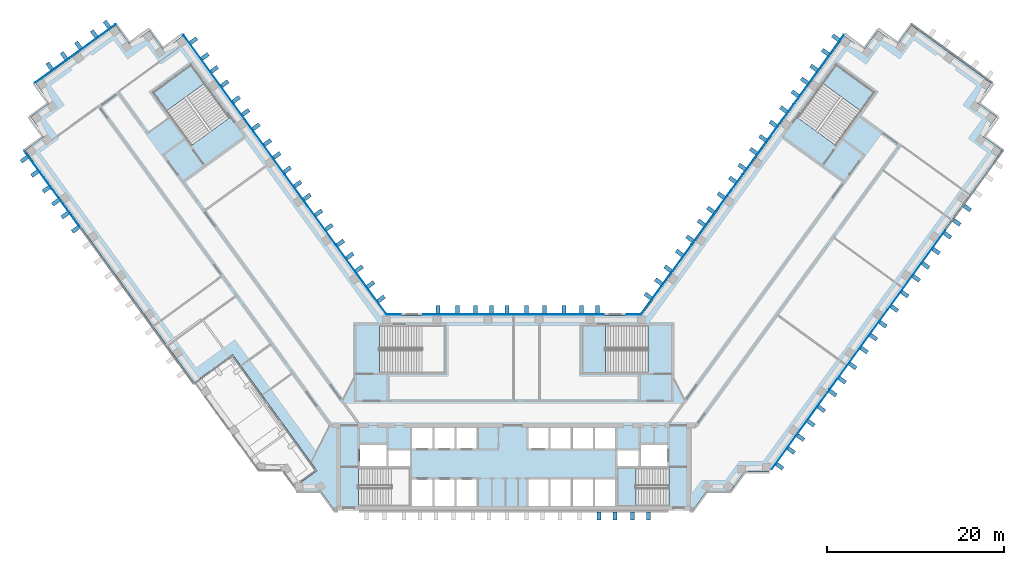
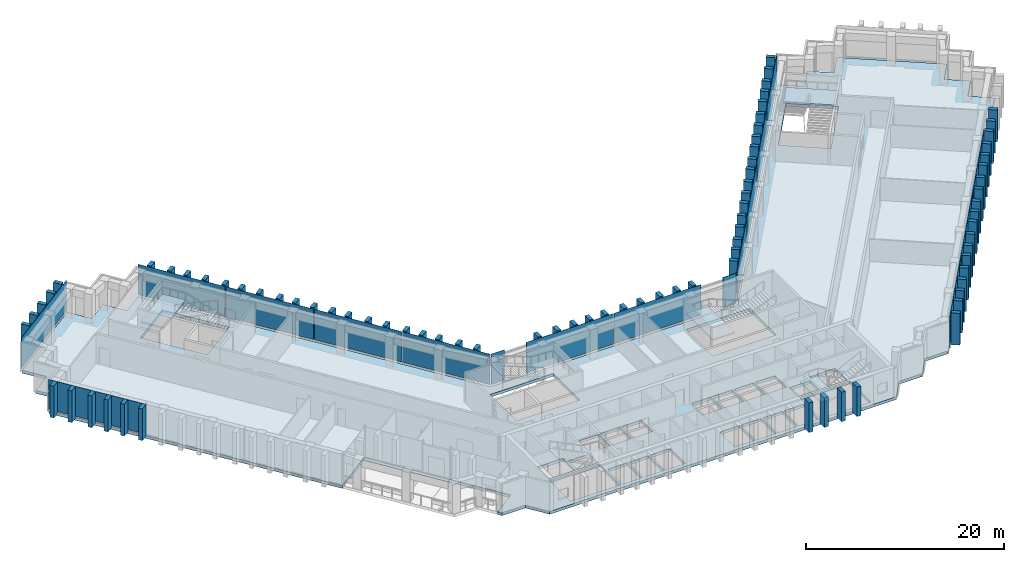
"""IFC4 building model written with IfcOpenShell, lengths in metres."""

from ifc_helpers import new_model, si_unit, direction, frame, origin, origin_2d, place, context, subcontext, project, spatial, polyline, rectangle, outline, extrude, material, layer, layer_set, type_object, element, aggregate, save


model = new_model("IFC4")

# Units and contexts
model_context = context("Model", 3, precision=1e-05, world=origin(), true_north=direction((0.0, 1.0)))
body_context = subcontext(model_context, "Body", "Model", "MODEL_VIEW")
ifc_project = project(units=[si_unit("LENGTHUNIT", "METRE"), si_unit("AREAUNIT", "SQUARE_METRE"), si_unit("VOLUMEUNIT", "CUBIC_METRE"), si_unit("PLANEANGLEUNIT", "RADIAN"), si_unit("MASSUNIT", "GRAM", prefix="KILO")], contexts=[model_context])

# Site, building, storey
site_placement = place(None, origin())
site = spatial("IfcSite", under=ifc_project, at=site_placement, CompositionType="ELEMENT")
building_placement = place(site_placement, origin())
building = spatial("IfcBuilding", under=site, at=building_placement, Name="Quipu Civic Tower", CompositionType="ELEMENT")
storey_1_placement = place(building_placement, frame((0.0, 0.0, 63.0)))
storey_1 = spatial("IfcBuildingStorey", under=building, at=storey_1_placement, Name="L14", CompositionType="ELEMENT", Elevation=63.0)

# Slab
ifc_material_1 = material(Name="Concrete C40/50", Category="concrete")
ifc_layer_1 = layer(ifc_material_1, 0.35009765625)
ifc_layer_set_1 = layer_set([ifc_layer_1], Name="Concrete C40/50")
slab_type_1 = type_object("IfcSlabType", Name="Floor slab 350 C40/50", PredefinedType="FLOOR", material=ifc_layer_set_1)
slab_1_placement = place(storey_1_placement, frame((0.0, 0.0, -0.35009765625)))
element("IfcSlab", 1, at=slab_1_placement, inside=storey_1, type_object=slab_type_1, Name="Floor slab L14", PredefinedType="FLOOR", context=body_context, shape_type="SweptSolid", body=[
    extrude(outline(polyline([(-54.514892578125, 33.389892578125), (-52.3349609375, 34.97509765625), (-53.919921875, 37.159912109375), (-44.860107421875, 43.739990234375), (-43.27001953125, 41.56005859375), (-41.0849609375, 43.14501953125), (-39.5, 40.9599609375), (-37.31494140625, 42.550048828125), (-14.39501953125, 11.0), (14.39501953125, 11.0), (37.31494140625, 42.550048828125), (39.5, 40.9599609375), (41.0849609375, 43.14501953125), (43.27001953125, 41.56005859375), (44.860107421875, 43.739990234375), (53.919921875, 37.159912109375), (52.3349609375, 34.97509765625), (54.514892578125, 33.389892578125), (52.929931640625, 31.205078125), (55.114990234375, 29.614990234375), (28.780029296875, -6.6298828125), (26.080078125, -6.6298828125), (24.489990234375, -8.81494140625), (21.7900390625, -8.81494140625), (20.205078125, -11.0), (-20.205078125, -11.0), (-21.7900390625, -8.81494140625), (-24.489990234375, -8.81494140625), (-24.780029296875, -8.419921875), (-22.179931640625, -6.530029296875), (-31.699951171875, 6.580078125), (-36.070068359375, 3.405029296875), (-55.114990234375, 29.614990234375), (-52.929931640625, 31.205078125), (-54.514892578125, 33.389892578125)]), holes=[polyline([(-11.449951171875, -7.5), (-11.449951171875, -10.5), (-9.14990234375, -10.5), (-9.14990234375, -7.5), (-11.449951171875, -7.5)]), polyline([(-6.64990234375, -7.5), (-8.949951171875, -7.5), (-8.949951171875, -10.5), (-6.64990234375, -10.5), (-6.64990234375, -7.5)]), polyline([(-4.14990234375, -7.5), (-6.449951171875, -7.5), (-6.449951171875, -10.5), (-4.14990234375, -10.5), (-4.14990234375, -7.5)]), polyline([(1.64990234375, -7.5), (1.64990234375, -10.5), (3.949951171875, -10.5), (3.949951171875, -7.5), (1.64990234375, -7.5)]), polyline([(-11.705078125, -10.4951171875), (-11.705078125, -6.2548828125), (-17.4951171875, -6.2548828125), (-17.4951171875, -10.4951171875), (-11.705078125, -10.4951171875)]), polyline([(-11.699951171875, -4.25), (-14.10009765625, -4.25), (-14.10009765625, -6.0), (-11.699951171875, -6.0), (-11.699951171875, -4.25)]), polyline([(-17.35009765625, -3.60009765625), (-17.35009765625, -6.0), (-14.35009765625, -6.0), (-14.35009765625, -3.60009765625), (-17.35009765625, -3.60009765625)]), polyline([(-9.14990234375, -1.699951171875), (-11.449951171875, -1.699951171875), (-11.449951171875, -4.0), (-9.14990234375, -4.0), (-9.14990234375, -1.699951171875)]), polyline([(-6.64990234375, -1.699951171875), (-8.949951171875, -1.699951171875), (-8.949951171875, -4.0), (-6.64990234375, -4.0), (-6.64990234375, -1.699951171875)]), polyline([(-6.449951171875, -1.699951171875), (-6.449951171875, -4.0), (-4.14990234375, -4.0), (-4.14990234375, -1.699951171875), (-6.449951171875, -1.699951171875)]), polyline([(-7.7548828125, 4.5048828125), (-7.7548828125, 9.844970703125), (-15.14501953125, 9.844970703125), (-15.14501953125, 4.5048828125), (-7.7548828125, 4.5048828125)]), polyline([(-36.364990234375, 39.27490234375), (-40.68505859375, 36.135009765625), (-36.344970703125, 30.159912109375), (-32.02490234375, 33.300048828125), (-36.364990234375, 39.27490234375)]), polyline([(4.14990234375, -7.5), (4.14990234375, -10.5), (6.449951171875, -10.5), (6.449951171875, -7.5), (4.14990234375, -7.5)]), polyline([(8.949951171875, -7.5), (6.64990234375, -7.5), (6.64990234375, -10.5), (8.949951171875, -10.5), (8.949951171875, -7.5)]), polyline([(11.449951171875, -7.5), (9.14990234375, -7.5), (9.14990234375, -10.5), (11.449951171875, -10.5), (11.449951171875, -7.5)]), polyline([(11.705078125, -10.4951171875), (17.4951171875, -10.4951171875), (17.4951171875, -6.2548828125), (11.705078125, -6.2548828125), (11.705078125, -10.4951171875)]), polyline([(14.10009765625, -4.25), (11.699951171875, -4.25), (11.699951171875, -6.0), (14.10009765625, -6.0), (14.10009765625, -4.25)]), polyline([(17.35009765625, -3.60009765625), (14.35009765625, -3.60009765625), (14.35009765625, -6.0), (17.35009765625, -6.0), (17.35009765625, -3.60009765625)]), polyline([(1.64990234375, -1.699951171875), (1.64990234375, -4.0), (3.949951171875, -4.0), (3.949951171875, -1.699951171875), (1.64990234375, -1.699951171875)]), polyline([(6.449951171875, -1.699951171875), (4.14990234375, -1.699951171875), (4.14990234375, -4.0), (6.449951171875, -4.0), (6.449951171875, -1.699951171875)]), polyline([(8.949951171875, -1.699951171875), (6.64990234375, -1.699951171875), (6.64990234375, -4.0), (8.949951171875, -4.0), (8.949951171875, -1.699951171875)]), polyline([(9.14990234375, -1.699951171875), (9.14990234375, -4.0), (11.449951171875, -4.0), (11.449951171875, -1.699951171875), (9.14990234375, -1.699951171875)]), polyline([(7.7548828125, 9.844970703125), (7.7548828125, 4.5048828125), (15.14501953125, 4.5048828125), (15.14501953125, 9.844970703125), (7.7548828125, 9.844970703125)]), polyline([(40.68505859375, 36.135009765625), (36.364990234375, 39.27490234375), (32.02490234375, 33.300048828125), (36.344970703125, 30.159912109375), (40.68505859375, 36.135009765625)])]), origin(), (0.0, 0.0, 1.0), 0.35009765625),
])

# Storey
storey_2_placement = place(building_placement, frame((0.0, 0.0, 59.0)))
storey_2 = spatial("IfcBuildingStorey", under=building, at=storey_2_placement, Name="L13", CompositionType="ELEMENT", Elevation=59.0)

# Curtain wall, plates
ifc_material_2 = material(Name="Insulated glass unit", Category="glass")
curtain_wall_type = type_object("IfcCurtainWallType", Name="Office curtain wall CW1", PredefinedType="NOTDEFINED", material=ifc_material_2)
curtain_wall_1_placement = place(storey_2_placement, origin())
curtain_wall_1 = element("IfcCurtainWall", 2, at=curtain_wall_1_placement, inside=storey_2, type_object=curtain_wall_type, Name="Office curtain wall CW1 L12 run 10", PredefinedType="NOTDEFINED")
ifc_material_3 = material(Name="Insulated glass unit", Category="glass")
ifc_layer_2 = layer(ifc_material_3, 0.028076171875)
ifc_layer_set_2 = layer_set([ifc_layer_2], Name="Insulated glass unit")
plate_type_1 = type_object("IfcPlateType", Name="Glass panel CW1", PredefinedType="CURTAIN_PANEL", material=ifc_layer_set_2)
plate_1_placement = place(storey_1_placement, frame((-17.224609375, 15.064697265625, 0.16015625), z_axis=(0.0, 0.0, 1.0), x_axis=(-0.587785887566, 0.809016532822, 0.0)))
plate_1 = element("IfcPlate", 3, at=plate_1_placement, inside=storey_1, type_object=plate_type_1, Name="CW1 panel 1.3", PredefinedType="CURTAIN_PANEL", context=body_context, shape_type="SweptSolid", body=[
    extrude(rectangle(XDim=9.64111328125, YDim=0.028076171875, at=origin_2d()), origin(), (0.0, 0.0, 1.0), 3.760009765625),
])
plate_2_placement = place(storey_1_placement, frame((-22.950439453125, 22.9453125, 0.16015625), z_axis=(0.0, 0.0, 1.0), x_axis=(-0.587785887566, 0.809016532822, 0.0)))
plate_2 = element("IfcPlate", 4, at=plate_2_placement, inside=storey_1, type_object=plate_type_1, Name="CW1 panel 2.3", PredefinedType="CURTAIN_PANEL", context=body_context, shape_type="SweptSolid", body=[
    extrude(rectangle(XDim=9.68115234375, YDim=0.028076171875, at=origin_2d()), origin(), (0.0, 0.0, 1.0), 3.760009765625),
])
plate_3_placement = place(storey_1_placement, frame((-28.687744140625, 30.84228515625, 0.16015625), z_axis=(0.0, 0.0, 1.0), x_axis=(-0.587785887566, 0.809016532822, 0.0)))
plate_3 = element("IfcPlate", 5, at=plate_3_placement, inside=storey_1, type_object=plate_type_1, Name="CW1 panel 3.3", PredefinedType="CURTAIN_PANEL", context=body_context, shape_type="SweptSolid", body=[
    extrude(rectangle(XDim=9.68115234375, YDim=0.028076171875, at=origin_2d()), origin(), (0.0, 0.0, 1.0), 3.760009765625),
])
plate_4_placement = place(storey_1_placement, frame((-34.413330078125, 38.722900390625, 0.16015625), z_axis=(0.0, 0.0, 1.0), x_axis=(-0.587785887566, 0.809016532822, 0.0)))
plate_4 = element("IfcPlate", 6, at=plate_4_placement, inside=storey_1, type_object=plate_type_1, Name="CW1 panel 4.3", PredefinedType="CURTAIN_PANEL", context=body_context, shape_type="SweptSolid", body=[
    extrude(rectangle(XDim=9.64111328125, YDim=0.028076171875, at=origin_2d()), origin(), (0.0, 0.0, 1.0), 3.760009765625),
])
aggregate(curtain_wall_1, [plate_1, plate_2, plate_3, plate_4])

# Curtain wall, plate
curtain_wall_2_placement = place(storey_2_placement, origin())
curtain_wall_2 = element("IfcCurtainWall", 7, at=curtain_wall_2_placement, inside=storey_2, type_object=curtain_wall_type, Name="Office curtain wall CW1 L12 run 15", PredefinedType="NOTDEFINED")
plate_5_placement = place(storey_1_placement, frame((-49.447998046875, 40.53173828125, 0.16015625), z_axis=(0.0, 0.0, 1.0), x_axis=(-0.809019348124, -0.587782012621, 0.0)))
plate_5 = element("IfcPlate", 8, at=plate_5_placement, inside=storey_1, type_object=plate_type_1, Name="CW1 panel 1.3", PredefinedType="CURTAIN_PANEL", context=body_context, shape_type="SweptSolid", body=[
    extrude(rectangle(XDim=11.239990234375, YDim=0.028076171875, at=origin_2d()), origin(), (0.0, 0.0, 1.0), 3.760009765625),
])
aggregate(curtain_wall_2, [plate_5])

# Curtain wall, plates
curtain_wall_3_placement = place(storey_2_placement, origin())
curtain_wall_3 = element("IfcCurtainWall", 9, at=curtain_wall_3_placement, inside=storey_2, type_object=curtain_wall_type, Name="Office curtain wall CW1 L12 run 26", PredefinedType="NOTDEFINED")
plate_6_placement = place(storey_1_placement, frame((32.342529296875, -1.896484375, 0.16015625), z_axis=(0.0, 0.0, 1.0), x_axis=(0.587785559869, 0.809016770908, 0.0)))
plate_6 = element("IfcPlate", 10, at=plate_6_placement, inside=storey_1, type_object=plate_type_1, Name="CW1 panel 1.3", PredefinedType="CURTAIN_PANEL", context=body_context, shape_type="SweptSolid", body=[
    extrude(rectangle(XDim=11.022705078125, YDim=0.028076171875, at=origin_2d()), origin(), (0.0, 0.0, 1.0), 3.760009765625),
])
plate_7_placement = place(storey_1_placement, frame((38.880126953125, 7.101806640625, 0.16015625), z_axis=(0.0, 0.0, 1.0), x_axis=(0.587785559869, 0.809016770908, 0.0)))
plate_7 = element("IfcPlate", 11, at=plate_7_placement, inside=storey_1, type_object=plate_type_1, Name="CW1 panel 2.3", PredefinedType="CURTAIN_PANEL", context=body_context, shape_type="SweptSolid", body=[
    extrude(rectangle(XDim=11.062744140625, YDim=0.028076171875, at=origin_2d()), origin(), (0.0, 0.0, 1.0), 3.760009765625),
])
plate_8_placement = place(storey_1_placement, frame((45.4296875, 16.11669921875, 0.16015625), z_axis=(0.0, 0.0, 1.0), x_axis=(0.587785559869, 0.809016770908, 0.0)))
plate_8 = element("IfcPlate", 12, at=plate_8_placement, inside=storey_1, type_object=plate_type_1, Name="CW1 panel 3.3", PredefinedType="CURTAIN_PANEL", context=body_context, shape_type="SweptSolid", body=[
    extrude(rectangle(XDim=11.062744140625, YDim=0.028076171875, at=origin_2d()), origin(), (0.0, 0.0, 1.0), 3.760009765625),
])
aggregate(curtain_wall_3, [plate_6, plate_7, plate_8])

curtain_wall_4_placement = place(storey_2_placement, origin())
curtain_wall_4 = element("IfcCurtainWall", 13, at=curtain_wall_4_placement, inside=storey_2, type_object=curtain_wall_type, Name="Office curtain wall CW1 L12 run 36", PredefinedType="NOTDEFINED")
plate_9_placement = place(storey_1_placement, frame((34.413330078125, 38.722900390625, 0.16015625), z_axis=(0.0, 0.0, 1.0), x_axis=(-0.587785887566, -0.809016532822, 0.0)))
plate_9 = element("IfcPlate", 14, at=plate_9_placement, inside=storey_1, type_object=plate_type_1, Name="CW1 panel 1.3", PredefinedType="CURTAIN_PANEL", context=body_context, shape_type="SweptSolid", body=[
    extrude(rectangle(XDim=9.64111328125, YDim=0.028076171875, at=origin_2d()), origin(), (0.0, 0.0, 1.0), 3.760009765625),
])
plate_10_placement = place(storey_1_placement, frame((28.687744140625, 30.84228515625, 0.16015625), z_axis=(0.0, 0.0, 1.0), x_axis=(-0.587785887566, -0.809016532822, 0.0)))
plate_10 = element("IfcPlate", 15, at=plate_10_placement, inside=storey_1, type_object=plate_type_1, Name="CW1 panel 2.3", PredefinedType="CURTAIN_PANEL", context=body_context, shape_type="SweptSolid", body=[
    extrude(rectangle(XDim=9.68115234375, YDim=0.028076171875, at=origin_2d()), origin(), (0.0, 0.0, 1.0), 3.760009765625),
])
plate_11_placement = place(storey_1_placement, frame((22.950439453125, 22.9453125, 0.16015625), z_axis=(0.0, 0.0, 1.0), x_axis=(-0.587785887566, -0.809016532822, 0.0)))
plate_11 = element("IfcPlate", 16, at=plate_11_placement, inside=storey_1, type_object=plate_type_1, Name="CW1 panel 3.3", PredefinedType="CURTAIN_PANEL", context=body_context, shape_type="SweptSolid", body=[
    extrude(rectangle(XDim=9.68115234375, YDim=0.028076171875, at=origin_2d()), origin(), (0.0, 0.0, 1.0), 3.760009765625),
])
plate_12_placement = place(storey_1_placement, frame((17.224609375, 15.064697265625, 0.16015625), z_axis=(0.0, 0.0, 1.0), x_axis=(-0.587785887566, -0.809016532822, 0.0)))
plate_12 = element("IfcPlate", 17, at=plate_12_placement, inside=storey_1, type_object=plate_type_1, Name="CW1 panel 4.3", PredefinedType="CURTAIN_PANEL", context=body_context, shape_type="SweptSolid", body=[
    extrude(rectangle(XDim=9.64111328125, YDim=0.028076171875, at=origin_2d()), origin(), (0.0, 0.0, 1.0), 3.760009765625),
])
aggregate(curtain_wall_4, [plate_9, plate_10, plate_11, plate_12])

# Curtain wall, plate
curtain_wall_5_placement = place(storey_2_placement, origin())
curtain_wall_5 = element("IfcCurtainWall", 18, at=curtain_wall_5_placement, inside=storey_2, type_object=curtain_wall_type, Name="Office curtain wall CW1 L12 run 37", PredefinedType="NOTDEFINED")
plate_13_placement = place(storey_1_placement, frame((13.49951171875, 11.10009765625, 0.16015625), z_axis=(0.0, 0.0, 1.0), x_axis=(-1.0, 0.0, 0.0)))
plate_13 = element("IfcPlate", 19, at=plate_13_placement, inside=storey_1, type_object=plate_type_1, Name="CW1 panel 1.3", PredefinedType="CURTAIN_PANEL", context=body_context, shape_type="SweptSolid", body=[
    extrude(rectangle(XDim=1.529296875, YDim=0.028076171875, at=origin_2d()), origin(), (0.0, 0.0, 1.0), 3.760009765625),
])
aggregate(curtain_wall_5, [plate_13])

# Curtain wall, plates
curtain_wall_6_placement = place(storey_2_placement, origin())
curtain_wall_6 = element("IfcCurtainWall", 20, at=curtain_wall_6_placement, inside=storey_2, type_object=curtain_wall_type, Name="Office curtain wall CW1 L12 run 39", PredefinedType="NOTDEFINED")
plate_14_placement = place(storey_1_placement, frame((5.11181640625, 11.10009765625, 0.16015625), z_axis=(0.0, 0.0, 1.0), x_axis=(-1.0, 0.0, 0.0)))
plate_14 = element("IfcPlate", 21, at=plate_14_placement, inside=storey_1, type_object=plate_type_1, Name="CW1 panel 1.3", PredefinedType="CURTAIN_PANEL", context=body_context, shape_type="SweptSolid", body=[
    extrude(rectangle(XDim=10.1435546875, YDim=0.028076171875, at=origin_2d()), origin(), (0.0, 0.0, 1.0), 3.760009765625),
])
plate_15_placement = place(storey_1_placement, frame((-5.11181640625, 11.10009765625, 0.16015625), z_axis=(0.0, 0.0, 1.0), x_axis=(-1.0, 0.0, 0.0)))
plate_15 = element("IfcPlate", 22, at=plate_15_placement, inside=storey_1, type_object=plate_type_1, Name="CW1 panel 2.3", PredefinedType="CURTAIN_PANEL", context=body_context, shape_type="SweptSolid", body=[
    extrude(rectangle(XDim=10.1435546875, YDim=0.028076171875, at=origin_2d()), origin(), (0.0, 0.0, 1.0), 3.760009765625),
])
aggregate(curtain_wall_6, [plate_14, plate_15])

# Curtain wall, plate
curtain_wall_7_placement = place(storey_2_placement, origin())
curtain_wall_7 = element("IfcCurtainWall", 23, at=curtain_wall_7_placement, inside=storey_2, type_object=curtain_wall_type, Name="Office curtain wall CW1 L12 run 41", PredefinedType="NOTDEFINED")
plate_16_placement = place(storey_1_placement, frame((-13.49951171875, 11.10009765625, 0.16015625), z_axis=(0.0, 0.0, 1.0), x_axis=(-1.0, 0.0, 0.0)))
plate_16 = element("IfcPlate", 24, at=plate_16_placement, inside=storey_1, type_object=plate_type_1, Name="CW1 panel 1.3", PredefinedType="CURTAIN_PANEL", context=body_context, shape_type="SweptSolid", body=[
    extrude(rectangle(XDim=1.529296875, YDim=0.028076171875, at=origin_2d()), origin(), (0.0, 0.0, 1.0), 3.760009765625),
])
aggregate(curtain_wall_7, [plate_16])

curtain_wall_8_placement = place(storey_1_placement, origin())
curtain_wall_8 = element("IfcCurtainWall", 25, at=curtain_wall_8_placement, inside=storey_1, type_object=curtain_wall_type, Name="Office curtain wall CW1 L14 run 1", PredefinedType="NOTDEFINED")
plate_17_placement = place(storey_1_placement, frame((-52.048828125, 25.226806640625, 0.240234375), z_axis=(0.0, 0.0, 1.0), x_axis=(0.587786055791, -0.809016410598, 0.0)))
plate_17 = element("IfcPlate", 26, at=plate_17_placement, type_object=plate_type_1, Name="CW1 panel 1.1", PredefinedType="CURTAIN_PANEL", context=body_context, shape_type="SweptSolid", body=[
    extrude(rectangle(XDim=10.74658203125, YDim=0.028076171875, at=origin_2d()), origin(), (0.0, 0.0, 1.0), 3.679931640625),
])
aggregate(curtain_wall_8, [plate_17])

# Plates
ifc_material_4 = material(Name="Precast concrete C40/50", Category="concrete")
plate_type_2 = type_object("IfcPlateType", Name="Precast fin F1", PredefinedType="SHEET", material=ifc_material_4)
for number, where, z_axis, x_axis, name in (
    (27, (-14.942138671875, 12.8583984375, 0.080078125), (0.0, 0.0, 1.0), (-0.587784944053, 0.809017218324, 0.0), "Precast fin F1 L14.P01.1"),
    (28, (-16.11767578125, 14.4765625, 0.080078125), (0.0, 0.0, 1.0), (-0.587784944053, 0.809017218324, 0.0), "Precast fin F1 L14.P01.2"),
    (29, (-17.41064453125, 16.25634765625, 0.080078125), (0.0, 0.0, 1.0), (-0.587784944053, 0.809017218324, 0.0), "Precast fin F1 L14.P01.3"),
    (30, (-18.46875, 17.712646484375, 0.080078125), (0.0, 0.0, 1.0), (-0.587784944053, 0.809017218324, 0.0), "Precast fin F1 L14.P01.4"),
    (31, (-19.52685546875, 19.1689453125, 0.080078125), (0.0, 0.0, 1.0), (-0.587784944053, 0.809017218324, 0.0), "Precast fin F1 L14.P01.5"),
    (32, (-20.81982421875, 20.94873046875, 0.080078125), (0.0, 0.0, 1.0), (-0.587784944053, 0.809017218324, 0.0), "Precast fin F1 L14.P01.6"),
    (33, (-21.995361328125, 22.566650390625, 0.080078125), (0.0, 0.0, 1.0), (-0.587784944053, 0.809017218324, 0.0), "Precast fin F1 L14.P01.7"),
    (34, (-23.28857421875, 24.3466796875, 0.080078125), (0.0, 0.0, 1.0), (-0.587784944053, 0.809017218324, 0.0), "Precast fin F1 L14.P01.8"),
    (35, (-24.3466796875, 25.802734375, 0.080078125), (0.0, 0.0, 1.0), (-0.587784944053, 0.809017218324, 0.0), "Precast fin F1 L14.P01.9"),
    (36, (-25.522216796875, 27.4208984375, 0.080078125), (0.0, 0.0, 1.0), (-0.587784944053, 0.809017218324, 0.0), "Precast fin F1 L14.P01.10"),
    (37, (-26.69775390625, 29.038818359375, 0.080078125), (0.0, 0.0, 1.0), (-0.587784944053, 0.809017218324, 0.0), "Precast fin F1 L14.P01.11"),
    (38, (-27.755859375, 30.4951171875, 0.080078125), (0.0, 0.0, 1.0), (-0.587784944053, 0.809017218324, 0.0), "Precast fin F1 L14.P01.12"),
    (39, (-29.048828125, 32.27490234375, 0.080078125), (0.0, 0.0, 1.0), (-0.587784944053, 0.809017218324, 0.0), "Precast fin F1 L14.P01.13"),
    (40, (-30.224365234375, 33.89306640625, 0.080078125), (0.0, 0.0, 1.0), (-0.587784944053, 0.809017218324, 0.0), "Precast fin F1 L14.P01.14"),
    (41, (-31.282470703125, 35.34912109375, 0.080078125), (0.0, 0.0, 1.0), (-0.587784944053, 0.809017218324, 0.0), "Precast fin F1 L14.P01.15"),
    (42, (-32.57568359375, 37.129150390625, 0.080078125), (0.0, 0.0, 1.0), (-0.587784944053, 0.809017218324, 0.0), "Precast fin F1 L14.P01.16"),
    (43, (-33.751220703125, 38.7470703125, 0.080078125), (0.0, 0.0, 1.0), (-0.587784944053, 0.809017218324, 0.0), "Precast fin F1 L14.P01.17"),
    (44, (-34.80908203125, 40.203369140625, 0.080078125), (0.0, 0.0, 1.0), (-0.587784944053, 0.809017218324, 0.0), "Precast fin F1 L14.P01.18"),
    (45, (-36.102294921875, 41.983154296875, 0.080078125), (0.0, 0.0, 1.0), (-0.587784944053, 0.809017218324, 0.0), "Precast fin F1 L14.P01.19"),
    (46, (-45.867919921875, 43.812744140625, 0.080078125), (0.0, 0.0, 1.0), (-0.809021318545, -0.587779300537, 0.0), "Precast fin F1 L14.P06.1"),
    (47, (-47.323974609375, 42.754638671875, 0.080078125), (0.0, 0.0, 1.0), (-0.809021318545, -0.587779300537, 0.0), "Precast fin F1 L14.P06.2"),
    (48, (-49.10400390625, 41.461669921875, 0.080078125), (0.0, 0.0, 1.0), (-0.809021318545, -0.587779300537, 0.0), "Precast fin F1 L14.P06.3"),
    (49, (-50.721923828125, 40.2861328125, 0.080078125), (0.0, 0.0, 1.0), (-0.809021318545, -0.587779300537, 0.0), "Precast fin F1 L14.P06.4"),
    (50, (-52.340087890625, 39.110595703125, 0.080078125), (0.0, 0.0, 1.0), (-0.809021318545, -0.587779300537, 0.0), "Precast fin F1 L14.P06.5"),
):
    element("IfcPlate", number, at=place(storey_1_placement, frame(where, z_axis=z_axis, x_axis=x_axis)), inside=storey_1, type_object=plate_type_2, Name=name, PredefinedType="SHEET", context=body_context, shape_type="SweptSolid", body=[
        extrude(rectangle(XDim=0.449951171875, YDim=0.89990234375, at=origin_2d()), origin(), (0.0, 0.0, 1.0), 3.919921875),
    ])
for number, where, z_axis, x_axis, name in (
    (51, (9.625, -11.637939453125, 0.0), (0.0, 0.0, 1.0), (1.0, 0.0, 0.0), "Precast fin F1 L14.P12.14"),
    (52, (11.425048828125, -11.637939453125, 0.0), (0.0, 0.0, 1.0), (1.0, 0.0, 0.0), "Precast fin F1 L14.P12.15"),
    (53, (13.425048828125, -11.637939453125, 0.0), (0.0, 0.0, 1.0), (1.0, 0.0, 0.0), "Precast fin F1 L14.P12.16"),
    (54, (15.22509765625, -11.637939453125, 0.0), (0.0, 0.0, 1.0), (1.0, 0.0, 0.0), "Precast fin F1 L14.P12.17"),
):
    element("IfcPlate", number, at=place(storey_1_placement, frame(where, z_axis=z_axis, x_axis=x_axis)), inside=storey_1, type_object=plate_type_2, Name=name, PredefinedType="SHEET", context=body_context, shape_type="SweptSolid", body=[
        extrude(rectangle(XDim=0.449951171875, YDim=0.89990234375, at=origin_2d()), origin(), (0.0, 0.0, 1.0), 3.64990234375),
    ])
for number, where, z_axis, x_axis, name in (
    (55, (30.014892578125, -6.03564453125, 0.080078125), (0.0, 0.0, 1.0), (0.587785716149, 0.809016657363, 0.0), "Precast fin F1 L14.P18.1"),
    (56, (31.30810546875, -4.255859375, 0.080078125), (0.0, 0.0, 1.0), (0.587785716149, 0.809016657363, 0.0), "Precast fin F1 L14.P18.2"),
    (57, (32.365966796875, -2.7998046875, 0.080078125), (0.0, 0.0, 1.0), (0.587785716149, 0.809016657363, 0.0), "Precast fin F1 L14.P18.3"),
    (58, (33.541748046875, -1.181640625, 0.080078125), (0.0, 0.0, 1.0), (0.587785716149, 0.809016657363, 0.0), "Precast fin F1 L14.P18.4"),
    (59, (34.71728515625, 0.436279296875, 0.080078125), (0.0, 0.0, 1.0), (0.587785716149, 0.809016657363, 0.0), "Precast fin F1 L14.P18.5"),
    (60, (36.01025390625, 2.21630859375, 0.080078125), (0.0, 0.0, 1.0), (0.587785716149, 0.809016657363, 0.0), "Precast fin F1 L14.P18.6"),
    (61, (37.068359375, 3.67236328125, 0.080078125), (0.0, 0.0, 1.0), (0.587785716149, 0.809016657363, 0.0), "Precast fin F1 L14.P18.7"),
    (62, (38.243896484375, 5.29052734375, 0.080078125), (0.0, 0.0, 1.0), (0.587785716149, 0.809016657363, 0.0), "Precast fin F1 L14.P18.8"),
    (63, (39.537109375, 7.0703125, 0.080078125), (0.0, 0.0, 1.0), (0.587785716149, 0.809016657363, 0.0), "Precast fin F1 L14.P18.9"),
    (64, (40.594970703125, 8.526611328125, 0.080078125), (0.0, 0.0, 1.0), (0.587785716149, 0.809016657363, 0.0), "Precast fin F1 L14.P18.10"),
    (65, (41.653076171875, 9.982666015625, 0.080078125), (0.0, 0.0, 1.0), (0.587785716149, 0.809016657363, 0.0), "Precast fin F1 L14.P18.11"),
    (66, (42.9462890625, 11.7626953125, 0.080078125), (0.0, 0.0, 1.0), (0.587785716149, 0.809016657363, 0.0), "Precast fin F1 L14.P18.12"),
    (67, (44.121826171875, 13.380615234375, 0.080078125), (0.0, 0.0, 1.0), (0.587785716149, 0.809016657363, 0.0), "Precast fin F1 L14.P18.13"),
    (68, (45.414794921875, 15.160400390625, 0.080078125), (0.0, 0.0, 1.0), (0.587785716149, 0.809016657363, 0.0), "Precast fin F1 L14.P18.14"),
    (69, (46.472900390625, 16.61669921875, 0.080078125), (0.0, 0.0, 1.0), (0.587785716149, 0.809016657363, 0.0), "Precast fin F1 L14.P18.15"),
    (70, (47.6484375, 18.234619140625, 0.080078125), (0.0, 0.0, 1.0), (0.587785716149, 0.809016657363, 0.0), "Precast fin F1 L14.P18.16"),
    (71, (48.941650390625, 20.0146484375, 0.080078125), (0.0, 0.0, 1.0), (0.587785716149, 0.809016657363, 0.0), "Precast fin F1 L14.P18.17"),
    (72, (49.999755859375, 21.470703125, 0.080078125), (0.0, 0.0, 1.0), (0.587785716149, 0.809016657363, 0.0), "Precast fin F1 L14.P18.18"),
    (73, (51.17529296875, 23.0888671875, 0.080078125), (0.0, 0.0, 1.0), (0.587785716149, 0.809016657363, 0.0), "Precast fin F1 L14.P18.19"),
    (74, (36.334716796875, 42.302978515625, 0.080078125), (0.0, 0.0, 1.0), (-0.587784944053, -0.809017218324, 0.0), "Precast fin F1 L14.P28.1"),
    (75, (35.158935546875, 40.684814453125, 0.080078125), (0.0, 0.0, 1.0), (-0.587784944053, -0.809017218324, 0.0), "Precast fin F1 L14.P28.2"),
    (76, (33.865966796875, 38.905029296875, 0.080078125), (0.0, 0.0, 1.0), (-0.587784944053, -0.809017218324, 0.0), "Precast fin F1 L14.P28.3"),
    (77, (32.807861328125, 37.44873046875, 0.080078125), (0.0, 0.0, 1.0), (-0.587784944053, -0.809017218324, 0.0), "Precast fin F1 L14.P28.4"),
    (78, (31.75, 35.992431640625, 0.080078125), (0.0, 0.0, 1.0), (-0.587784944053, -0.809017218324, 0.0), "Precast fin F1 L14.P28.5"),
    (79, (30.456787109375, 34.212646484375, 0.080078125), (0.0, 0.0, 1.0), (-0.587784944053, -0.809017218324, 0.0), "Precast fin F1 L14.P28.6"),
    (80, (29.28125, 32.5947265625, 0.080078125), (0.0, 0.0, 1.0), (-0.587784944053, -0.809017218324, 0.0), "Precast fin F1 L14.P28.7"),
    (81, (28.105712890625, 30.9765625, 0.080078125), (0.0, 0.0, 1.0), (-0.587784944053, -0.809017218324, 0.0), "Precast fin F1 L14.P28.8"),
    (82, (27.047607421875, 29.5205078125, 0.080078125), (0.0, 0.0, 1.0), (-0.587784944053, -0.809017218324, 0.0), "Precast fin F1 L14.P28.9"),
    (83, (25.75439453125, 27.740478515625, 0.080078125), (0.0, 0.0, 1.0), (-0.587784944053, -0.809017218324, 0.0), "Precast fin F1 L14.P28.10"),
    (84, (24.696533203125, 26.284423828125, 0.080078125), (0.0, 0.0, 1.0), (-0.587784944053, -0.809017218324, 0.0), "Precast fin F1 L14.P28.11"),
    (85, (23.4033203125, 24.50439453125, 0.080078125), (0.0, 0.0, 1.0), (-0.587784944053, -0.809017218324, 0.0), "Precast fin F1 L14.P28.12"),
    (86, (22.227783203125, 22.886474609375, 0.080078125), (0.0, 0.0, 1.0), (-0.587784944053, -0.809017218324, 0.0), "Precast fin F1 L14.P28.13"),
    (87, (21.169677734375, 21.43017578125, 0.080078125), (0.0, 0.0, 1.0), (-0.587784944053, -0.809017218324, 0.0), "Precast fin F1 L14.P28.14"),
    (88, (19.876708984375, 19.650390625, 0.080078125), (0.0, 0.0, 1.0), (-0.587784944053, -0.809017218324, 0.0), "Precast fin F1 L14.P28.15"),
    (89, (18.701171875, 18.032470703125, 0.080078125), (0.0, 0.0, 1.0), (-0.587784944053, -0.809017218324, 0.0), "Precast fin F1 L14.P28.16"),
    (90, (17.407958984375, 16.25244140625, 0.080078125), (0.0, 0.0, 1.0), (-0.587784944053, -0.809017218324, 0.0), "Precast fin F1 L14.P28.17"),
    (91, (16.349853515625, 14.79638671875, 0.080078125), (0.0, 0.0, 1.0), (-0.587784944053, -0.809017218324, 0.0), "Precast fin F1 L14.P28.18"),
    (92, (15.17431640625, 13.17822265625, 0.080078125), (0.0, 0.0, 1.0), (-0.587784944053, -0.809017218324, 0.0), "Precast fin F1 L14.P28.19"),
    (93, (9.47509765625, 11.64990234375, 0.080078125), (0.0, 0.0, 1.0), (-1.0, 0.0, 0.0), "Precast fin F1 L14.P31.1"),
    (94, (7.675048828125, 11.64990234375, 0.080078125), (0.0, 0.0, 1.0), (-1.0, 0.0, 0.0), "Precast fin F1 L14.P31.2"),
    (95, (5.675048828125, 11.64990234375, 0.080078125), (0.0, 0.0, 1.0), (-1.0, 0.0, 0.0), "Precast fin F1 L14.P31.3"),
    (96, (3.47509765625, 11.64990234375, 0.080078125), (0.0, 0.0, 1.0), (-1.0, 0.0, 0.0), "Precast fin F1 L14.P31.4"),
    (97, (1.47509765625, 11.64990234375, 0.080078125), (0.0, 0.0, 1.0), (-1.0, 0.0, 0.0), "Precast fin F1 L14.P31.5"),
    (98, (-0.72509765625, 11.64990234375, 0.080078125), (0.0, 0.0, 1.0), (-1.0, 0.0, 0.0), "Precast fin F1 L14.P31.6"),
    (99, (-2.52490234375, 11.64990234375, 0.080078125), (0.0, 0.0, 1.0), (-1.0, 0.0, 0.0), "Precast fin F1 L14.P31.7"),
    (100, (-4.324951171875, 11.64990234375, 0.080078125), (0.0, 0.0, 1.0), (-1.0, 0.0, 0.0), "Precast fin F1 L14.P31.8"),
    (101, (-6.324951171875, 11.64990234375, 0.080078125), (0.0, 0.0, 1.0), (-1.0, 0.0, 0.0), "Precast fin F1 L14.P31.9"),
    (102, (-8.52490234375, 11.64990234375, 0.080078125), (0.0, 0.0, 1.0), (-1.0, 0.0, 0.0), "Precast fin F1 L14.P31.10"),
    (103, (-55.184814453125, 28.607421875, 0.080078125), (0.0, 0.0, 1.0), (0.587785143244, -0.809017073604, 0.0), "Precast fin F1 L14.1.1"),
    (104, (-54.00927734375, 26.989501953125, 0.080078125), (0.0, 0.0, 1.0), (0.587785143244, -0.809017073604, 0.0), "Precast fin F1 L14.1.2"),
    (105, (-52.716064453125, 25.20947265625, 0.080078125), (0.0, 0.0, 1.0), (0.587785143244, -0.809017073604, 0.0), "Precast fin F1 L14.1.3"),
    (106, (-51.657958984375, 23.75341796875, 0.080078125), (0.0, 0.0, 1.0), (0.587785143244, -0.809017073604, 0.0), "Precast fin F1 L14.1.4"),
    (107, (-50.60009765625, 22.297119140625, 0.080078125), (0.0, 0.0, 1.0), (0.587785143244, -0.809017073604, 0.0), "Precast fin F1 L14.1.5"),
    (108, (-49.42431640625, 20.67919921875, 0.080078125), (0.0, 0.0, 1.0), (0.587785143244, -0.809017073604, 0.0), "Precast fin F1 L14.1.6"),
):
    element("IfcPlate", number, at=place(storey_1_placement, frame(where, z_axis=z_axis, x_axis=x_axis)), inside=storey_1, type_object=plate_type_2, Name=name, PredefinedType="SHEET", context=body_context, shape_type="SweptSolid", body=[
        extrude(rectangle(XDim=0.449951171875, YDim=0.89990234375, at=origin_2d()), origin(), (0.0, 0.0, 1.0), 3.919921875),
    ])

# Stair, slab
ifc_material_5 = material(Name="Concrete C40/50", Category="concrete")
stair_type_1 = type_object("IfcStairType", Name="Half turn stair 2000", PredefinedType="HALF_TURN_STAIR", material=ifc_material_5)
stair_1_placement = place(storey_1_placement, origin())
stair_1 = element("IfcStair", 109, at=stair_1_placement, inside=storey_1, type_object=stair_type_1, Name="Exit stair 2", PredefinedType="HALF_TURN_STAIR")
ifc_material_6 = material(Name="Concrete C40/50", Category="concrete")
ifc_layer_3 = layer(ifc_material_6, 0.199951171875)
ifc_layer_set_3 = layer_set([ifc_layer_3], Name="Concrete C40/50")
slab_type_2 = type_object("IfcSlabType", Name="Stair landing 200", PredefinedType="LANDING", material=ifc_layer_set_3)
slab_2_placement = place(storey_1_placement, frame((0.0, 0.0, 1.800048828125)))
slab_2 = element("IfcSlab", 110, at=slab_2_placement, type_object=slab_type_2, Name="ST-2 landing 1", PredefinedType="LANDING", context=body_context, shape_type="SweptSolid", body=[
    extrude(outline(polyline([(13.780029296875, -6.25), (11.699951171875, -6.25), (11.699951171875, -10.5), (13.780029296875, -10.5), (13.780029296875, -6.25)])), origin(), (0.0, 0.0, 1.0), 0.199951171875),
])
aggregate(stair_1, [slab_2])

ifc_material_7 = material(Name="Concrete C40/50", Category="concrete")
stair_type_2 = type_object("IfcStairType", Name="Half turn stair 2600", PredefinedType="HALF_TURN_STAIR", material=ifc_material_7)
stair_2_placement = place(storey_1_placement, origin())
stair_2 = element("IfcStair", 111, at=stair_2_placement, inside=storey_1, type_object=stair_type_2, Name="Exit stair 4", PredefinedType="HALF_TURN_STAIR")
slab_3_placement = place(storey_1_placement, frame((0.0, 0.0, 1.800048828125)))
slab_3 = element("IfcSlab", 112, at=slab_3_placement, type_object=slab_type_2, Name="ST-4 landing 1", PredefinedType="LANDING", context=body_context, shape_type="SweptSolid", body=[
    extrude(outline(polyline([(10.35009765625, 9.85009765625), (7.75, 9.85009765625), (7.75, 4.5), (10.35009765625, 4.5), (10.35009765625, 9.85009765625)])), origin(), (0.0, 0.0, 1.0), 0.199951171875),
])
aggregate(stair_2, [slab_3])

stair_3_placement = place(storey_1_placement, origin())
stair_3 = element("IfcStair", 113, at=stair_3_placement, inside=storey_1, type_object=stair_type_2, Name="Exit stair 6", PredefinedType="HALF_TURN_STAIR")
slab_4_placement = place(storey_1_placement, frame((0.0, 0.0, 1.800048828125)))
slab_4 = element("IfcSlab", 114, at=slab_4_placement, type_object=slab_type_2, Name="ST-6 landing 1", PredefinedType="LANDING", context=body_context, shape_type="SweptSolid", body=[
    extrude(outline(polyline([(-34.837158203125, 37.179443359375), (-36.365478515625, 39.282958984375), (-40.69384765625, 36.138427734375), (-39.16552734375, 34.034912109375), (-34.837158203125, 37.179443359375)])), origin(), (0.0, 0.0, 1.0), 0.199951171875),
])
aggregate(stair_3, [slab_4])

stair_4_placement = place(storey_1_placement, origin())
stair_4 = element("IfcStair", 115, at=stair_4_placement, inside=storey_1, type_object=stair_type_2, Name="Exit stair 7", PredefinedType="HALF_TURN_STAIR")
slab_5_placement = place(storey_1_placement, frame((0.0, 0.0, 1.800048828125)))
slab_5 = element("IfcSlab", 116, at=slab_5_placement, type_object=slab_type_2, Name="ST-7 landing 1", PredefinedType="LANDING", context=body_context, shape_type="SweptSolid", body=[
    extrude(outline(polyline([(39.16552734375, 34.034912109375), (40.69384765625, 36.138427734375), (36.365478515625, 39.282958984375), (34.837158203125, 37.179443359375), (39.16552734375, 34.034912109375)])), origin(), (0.0, 0.0, 1.0), 0.199951171875),
])
aggregate(stair_4, [slab_5])

save(model, "model.ifc")
